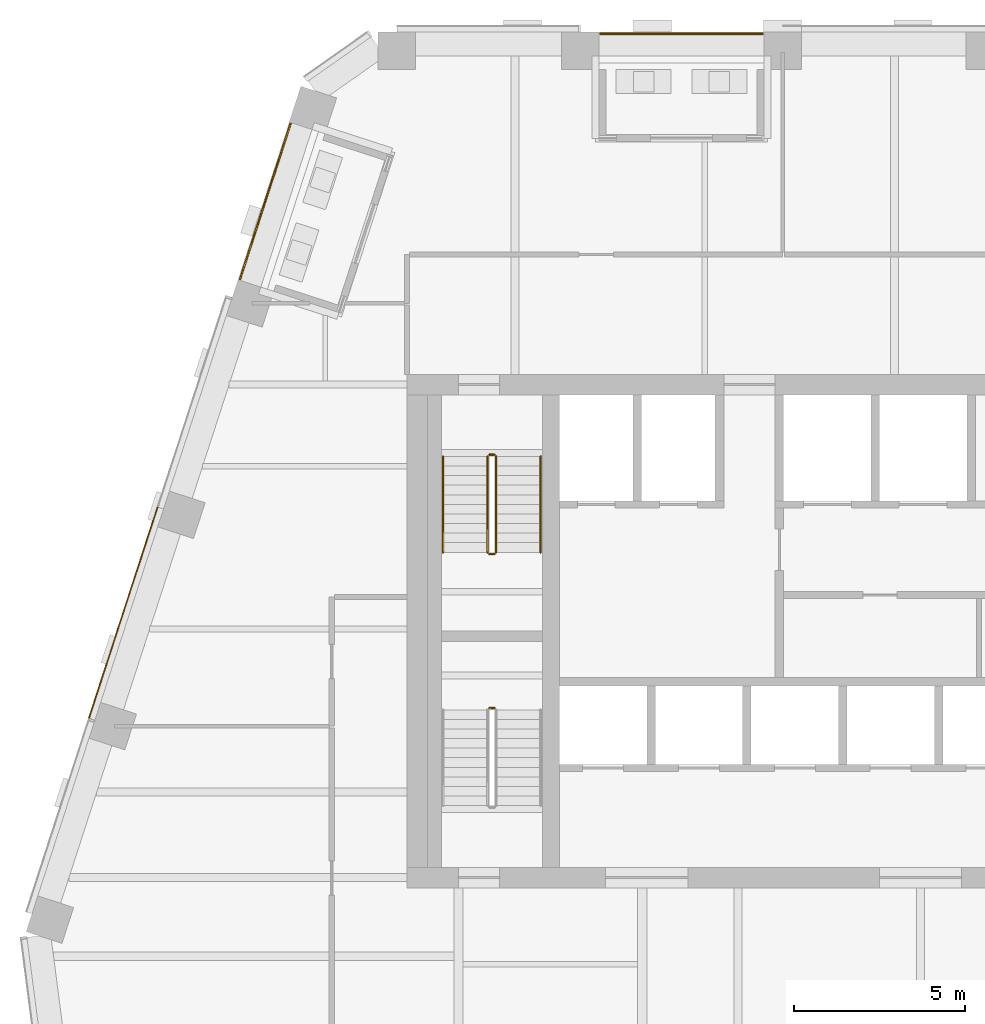
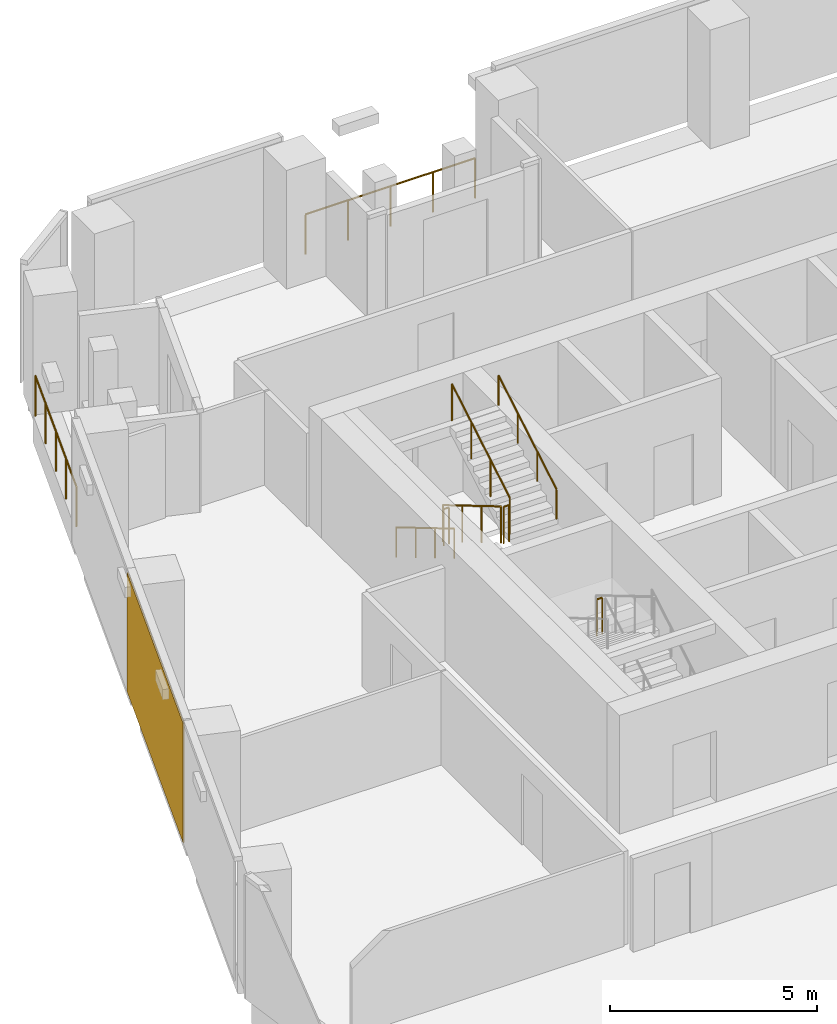
# One storey, part 23 of 25: 9 railings, 1 covering, 1 element without a shape of its own.
"""IFC4 building model written with IfcOpenShell, lengths in metres."""

from ifc_helpers import new_model, si_unit, direction, frame, origin, origin_2d, place, context, subcontext, project, spatial, rectangle, circle, extrude, material, layer, layer_set, type_object, element, aggregate, save


model = new_model("IFC4")

# Units and contexts
model_context = context("Model", 3, precision=1e-05, world=origin(), true_north=direction((0.0, 1.0)))
body_context = subcontext(model_context, "Body", "Model", "MODEL_VIEW")
ifc_project = project(units=[si_unit("LENGTHUNIT", "METRE"), si_unit("AREAUNIT", "SQUARE_METRE"), si_unit("VOLUMEUNIT", "CUBIC_METRE"), si_unit("PLANEANGLEUNIT", "RADIAN"), si_unit("MASSUNIT", "GRAM", prefix="KILO")], contexts=[model_context])

# Site, building, storey
site_placement = place(None, origin())
site = spatial("IfcSite", under=ifc_project, at=site_placement, CompositionType="ELEMENT")
building_placement = place(site_placement, origin())
building = spatial("IfcBuilding", under=site, at=building_placement, Name="Isthmus Gate Tower", CompositionType="ELEMENT")
storey_placement = place(building_placement, frame((0.0, 0.0, 249.14990234375)))
storey = spatial("IfcBuildingStorey", under=building, at=storey_placement, Name="L63", CompositionType="ELEMENT", Elevation=249.14990234375)

# Curtain wall, covering
ifc_material_1 = material(Name="Aluminium, pale champagne anodised", Category="aluminium")
ifc_layer_1 = layer(ifc_material_1, 0.199951171875)
ifc_layer_set_1 = layer_set([ifc_layer_1], Name="CW-1 UNITISED CURTAIN WALL 200 DEEP")
curtain_wall_type = type_object("IfcCurtainWallType", Name="CW-1 UNITISED CURTAIN WALL 200 DEEP", PredefinedType="NOTDEFINED", material=ifc_layer_set_1)
curtain_wall_placement = place(storey_placement, origin())
curtain_wall = element("IfcCurtainWall", 1, at=curtain_wall_placement, inside=storey, type_object=curtain_wall_type, Name="CW-1 NW L63", PredefinedType="NOTDEFINED")
ifc_material_2 = material(Name="Aluminium composite panel, pale champagne anodised", Category="aluminium")
ifc_layer_2 = layer(ifc_material_2, 0.031982421875)
ifc_layer_set_2 = layer_set([ifc_layer_2], Name="CW-1 PALE METAL PANEL 32")
covering_type = type_object("IfcCoveringType", Name="CW-1 PALE METAL PANEL 32", PredefinedType="CLADDING", material=ifc_layer_set_2)
covering_placement = place(storey_placement, frame((-23.29443359375, 8.036376953125, 0.0), z_axis=(0.0, 0.0, 1.0), x_axis=(-0.309016994375, -0.951056516295, 0.0)))
covering = element("IfcCovering", 2, at=covering_placement, type_object=covering_type, Name="CW-1 pale metal panel", PredefinedType="CLADDING", context=body_context, shape_type="SweptSolid", body=[
    extrude(rectangle(XDim=6.491943359375, YDim=0.031982421875, at=origin_2d()), origin(), (0.0, 0.0, 1.0), 3.52001953125),
])
aggregate(curtain_wall, [covering])

# Railings
ifc_material_3 = material(Name="Toughened laminated glass with stainless steel posts", Category="steel")
railing_type_1 = type_object("IfcRailingType", Name="GUARD 1200 FRAMELESS GLASS", PredefinedType="GUARDRAIL", material=ifc_material_3)
railing_1_placement = place(storey_placement, frame((-4.6201171875, 24.949951171875, 0.0)))
element("IfcRailing", 3, at=railing_1_placement, inside=storey, type_object=railing_type_1, Name="LOGGIA GUARD", PredefinedType="GUARDRAIL", context=body_context, shape_type="SweptSolid", body=[
    extrude(circle(Radius=0.02490234375, at=origin_2d()), frame((0.0, 0.0, 1.1748046875), z_axis=(-1.0, 0.0, 0.0), x_axis=(0.0, -1.0, 0.0)), (0.0, 0.0, 1.0), 4.73046875),
    extrude(circle(Radius=0.02490234375, at=origin_2d()), origin(), (0.0, 0.0, 1.0), 1.14990234375),
    extrude(circle(Radius=0.02490234375, at=origin_2d()), frame((-1.1826171875, 0.0, 0.0)), (0.0, 0.0, 1.0), 1.14990234375),
    extrude(circle(Radius=0.02490234375, at=origin_2d()), frame((-2.365234375, 0.0, 0.0)), (0.0, 0.0, 1.0), 1.14990234375),
    extrude(circle(Radius=0.02490234375, at=origin_2d()), frame((-3.5478515625, 0.0, 0.0)), (0.0, 0.0, 1.0), 1.14990234375),
    extrude(circle(Radius=0.02490234375, at=origin_2d()), frame((-4.73046875, 0.0, 0.0)), (0.0, 0.0, 1.0), 1.14990234375),
])
railing_2_placement = place(storey_placement, frame((-18.408935546875, 22.315185546875, 0.0)))
element("IfcRailing", 4, at=railing_2_placement, inside=storey, type_object=railing_type_1, Name="LOGGIA GUARD", PredefinedType="GUARDRAIL", context=body_context, shape_type="SweptSolid", body=[
    extrude(circle(Radius=0.02490234375, at=origin_2d()), frame((0.0, 0.0, 1.1748046875), z_axis=(-0.309004920114, -0.951060439376, 0.0), x_axis=(0.951060439376, -0.309004920114, 0.0)), (0.0, 0.0, 1.0), 4.761962890625),
    extrude(circle(Radius=0.02490234375, at=origin_2d()), origin(), (0.0, 0.0, 1.0), 1.14990234375),
    extrude(circle(Radius=0.02490234375, at=origin_2d()), frame((-0.367919921875, -1.13232421875, 0.0)), (0.0, 0.0, 1.0), 1.14990234375),
    extrude(circle(Radius=0.02490234375, at=origin_2d()), frame((-0.73583984375, -2.264404296875, 0.0)), (0.0, 0.0, 1.0), 1.14990234375),
    extrude(circle(Radius=0.02490234375, at=origin_2d()), frame((-1.103515625, -3.396484375, 0.0)), (0.0, 0.0, 1.0), 1.14990234375),
    extrude(circle(Radius=0.02490234375, at=origin_2d()), frame((-1.471435546875, -4.52880859375, 0.0)), (0.0, 0.0, 1.0), 1.14990234375),
])
ifc_material_4 = material(Name="Stainless steel balustrade", Category="steel")
railing_type_2 = type_object("IfcRailingType", Name="STAIR GUARD 1100", PredefinedType="GUARDRAIL", material=ifc_material_4)
railing_3_placement = place(storey_placement, frame((-12.64990234375, 12.60009765625, 0.166015625)))
element("IfcRailing", 5, at=railing_3_placement, inside=storey, type_object=railing_type_2, Name="L63 ST1 stair guard 1", PredefinedType="GUARDRAIL", context=body_context, shape_type="SweptSolid", body=[
    extrude(circle(Radius=0.02392578125, at=origin_2d()), frame((0.0, 0.0, 1.076171875), z_axis=(0.0, -0.860306154799, 0.50977771628), x_axis=(1.0, 0.0, 0.0)), (0.0, 0.0, 1.0), 3.254638671875),
    extrude(circle(Radius=0.02099609375, at=origin_2d()), origin(), (0.0, 0.0, 1.0), 1.052001953125),
    extrude(circle(Radius=0.02099609375, at=origin_2d()), frame((0.0, -0.933349609375, 0.552978515625)), (0.0, 0.0, 1.0), 1.052001953125),
    extrude(circle(Radius=0.02099609375, at=origin_2d()), frame((0.0, -1.86669921875, 1.106201171875)), (0.0, 0.0, 1.0), 1.052001953125),
    extrude(circle(Radius=0.02099609375, at=origin_2d()), frame((0.0, -2.800048828125, 1.6591796875)), (0.0, 0.0, 1.0), 1.052001953125),
])
railing_4_placement = place(storey_placement, frame((-12.60009765625, 9.75, 1.8251953125)))
element("IfcRailing", 6, at=railing_4_placement, inside=storey, type_object=railing_type_2, Name="L63 ST1 stair guard 2", PredefinedType="GUARDRAIL", context=body_context, shape_type="SweptSolid", body=[
    extrude(circle(Radius=0.02392578125, at=origin_2d()), frame((0.0, 0.0, 1.076171875), z_axis=(1.0, 0.0, 0.0), x_axis=(0.0, 1.0, 0.0)), (0.0, 0.0, 1.0), 0.150146484375),
    extrude(circle(Radius=0.02099609375, at=origin_2d()), origin(), (0.0, 0.0, 1.0), 1.052001953125),
    extrude(circle(Radius=0.02099609375, at=origin_2d()), frame((0.150146484375, 0.0, 0.0)), (0.0, 0.0, 1.0), 1.052001953125),
])
railing_5_placement = place(storey_placement, frame((-12.39990234375, 9.800048828125, 1.990966796875)))
element("IfcRailing", 7, at=railing_5_placement, inside=storey, type_object=railing_type_2, Name="L63 ST1 stair guard 3", PredefinedType="GUARDRAIL", context=body_context, shape_type="SweptSolid", body=[
    extrude(circle(Radius=0.02392578125, at=origin_2d()), frame((0.0, 0.0, 1.076171875), z_axis=(0.0, 0.860306154799, 0.50977771628), x_axis=(-1.0, 0.0, 0.0)), (0.0, 0.0, 1.0), 3.254638671875),
    extrude(circle(Radius=0.02099609375, at=origin_2d()), origin(), (0.0, 0.0, 1.0), 1.052001953125),
    extrude(circle(Radius=0.02099609375, at=origin_2d()), frame((0.0, 0.933349609375, 0.552978515625)), (0.0, 0.0, 1.0), 1.052001953125),
    extrude(circle(Radius=0.02099609375, at=origin_2d()), frame((0.0, 1.86669921875, 1.106201171875)), (0.0, 0.0, 1.0), 1.052001953125),
    extrude(circle(Radius=0.02099609375, at=origin_2d()), frame((0.0, 2.800048828125, 1.6591796875)), (0.0, 0.0, 1.0), 1.052001953125),
])
railing_6_placement = place(storey_placement, frame((-12.60009765625, 12.64990234375, 0.0)))
element("IfcRailing", 8, at=railing_6_placement, inside=storey, type_object=railing_type_2, Name="L63 ST1 stair guard 4", PredefinedType="GUARDRAIL", context=body_context, shape_type="SweptSolid", body=[
    extrude(circle(Radius=0.02392578125, at=origin_2d()), frame((0.0, 0.0, 1.076171875), z_axis=(1.0, 0.0, 0.0), x_axis=(0.0, 1.0, 0.0)), (0.0, 0.0, 1.0), 0.150146484375),
    extrude(circle(Radius=0.02099609375, at=origin_2d()), origin(), (0.0, 0.0, 1.0), 1.052001953125),
    extrude(circle(Radius=0.02099609375, at=origin_2d()), frame((0.150146484375, 0.0, 0.0)), (0.0, 0.0, 1.0), 1.052001953125),
])
railing_7_placement = place(storey_placement, frame((-12.449951171875, 5.25, 1.8251953125)))
element("IfcRailing", 9, at=railing_7_placement, inside=storey, type_object=railing_type_2, Name="L63 ST7 stair guard 2", PredefinedType="GUARDRAIL", context=body_context, shape_type="SweptSolid", body=[
    extrude(circle(Radius=0.02392578125, at=origin_2d()), frame((0.0, 0.0, 1.076171875), z_axis=(-1.0, 0.0, 0.0), x_axis=(0.0, -1.0, 0.0)), (0.0, 0.0, 1.0), 0.150146484375),
    extrude(circle(Radius=0.02099609375, at=origin_2d()), origin(), (0.0, 0.0, 1.0), 1.052001953125),
    extrude(circle(Radius=0.02099609375, at=origin_2d()), frame((-0.150146484375, 0.0, 0.0)), (0.0, 0.0, 1.0), 1.052001953125),
])
ifc_material_5 = material(Name="Stainless steel handrail", Category="steel")
railing_type_3 = type_object("IfcRailingType", Name="STAIR HANDRAIL 900", PredefinedType="HANDRAIL", material=ifc_material_5)
railing_8_placement = place(storey_placement, frame((-13.949951171875, 12.60009765625, 0.166015625)))
element("IfcRailing", 10, at=railing_8_placement, inside=storey, type_object=railing_type_3, Name="L63 ST1 stair handrail 1", PredefinedType="HANDRAIL", context=body_context, shape_type="SweptSolid", body=[
    extrude(circle(Radius=0.02392578125, at=origin_2d()), frame((0.0, 0.0, 0.8759765625), z_axis=(0.0, -0.860306154799, 0.50977771628), x_axis=(1.0, 0.0, 0.0)), (0.0, 0.0, 1.0), 3.254638671875),
    extrude(circle(Radius=0.02099609375, at=origin_2d()), origin(), (0.0, 0.0, 1.0), 0.851806640625),
    extrude(circle(Radius=0.02099609375, at=origin_2d()), frame((0.0, -0.933349609375, 0.552978515625)), (0.0, 0.0, 1.0), 0.851806640625),
    extrude(circle(Radius=0.02099609375, at=origin_2d()), frame((0.0, -1.86669921875, 1.106201171875)), (0.0, 0.0, 1.0), 0.851806640625),
    extrude(circle(Radius=0.02099609375, at=origin_2d()), frame((0.0, -2.800048828125, 1.6591796875)), (0.0, 0.0, 1.0), 0.851806640625),
])
railing_9_placement = place(storey_placement, frame((-11.10009765625, 9.800048828125, 1.990966796875)))
element("IfcRailing", 11, at=railing_9_placement, inside=storey, type_object=railing_type_3, Name="L63 ST1 stair handrail 2", PredefinedType="HANDRAIL", context=body_context, shape_type="SweptSolid", body=[
    extrude(circle(Radius=0.02392578125, at=origin_2d()), frame((0.0, 0.0, 0.8759765625), z_axis=(0.0, 0.860306154799, 0.50977771628), x_axis=(-1.0, 0.0, 0.0)), (0.0, 0.0, 1.0), 3.254638671875),
    extrude(circle(Radius=0.02099609375, at=origin_2d()), origin(), (0.0, 0.0, 1.0), 0.851806640625),
    extrude(circle(Radius=0.02099609375, at=origin_2d()), frame((0.0, 0.933349609375, 0.552978515625)), (0.0, 0.0, 1.0), 0.851806640625),
    extrude(circle(Radius=0.02099609375, at=origin_2d()), frame((0.0, 1.86669921875, 1.106201171875)), (0.0, 0.0, 1.0), 0.851806640625),
    extrude(circle(Radius=0.02099609375, at=origin_2d()), frame((0.0, 2.800048828125, 1.6591796875)), (0.0, 0.0, 1.0), 0.851806640625),
])

save(model, "model.ifc")
